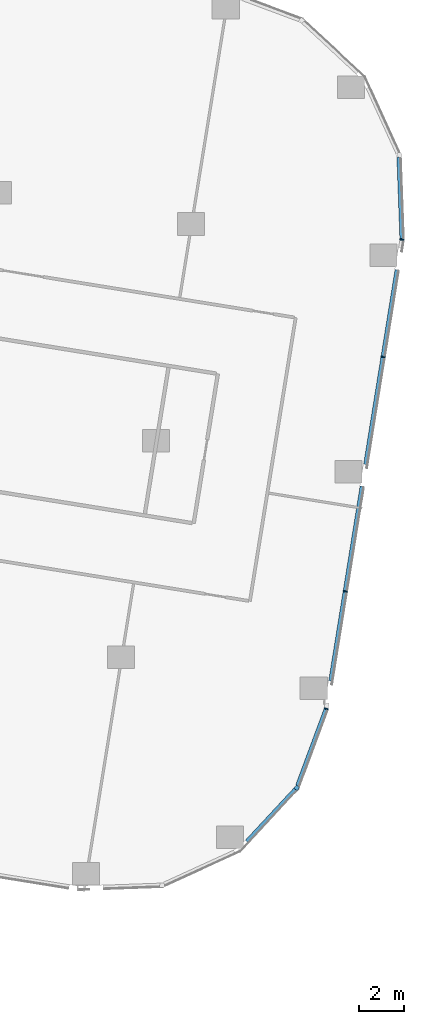
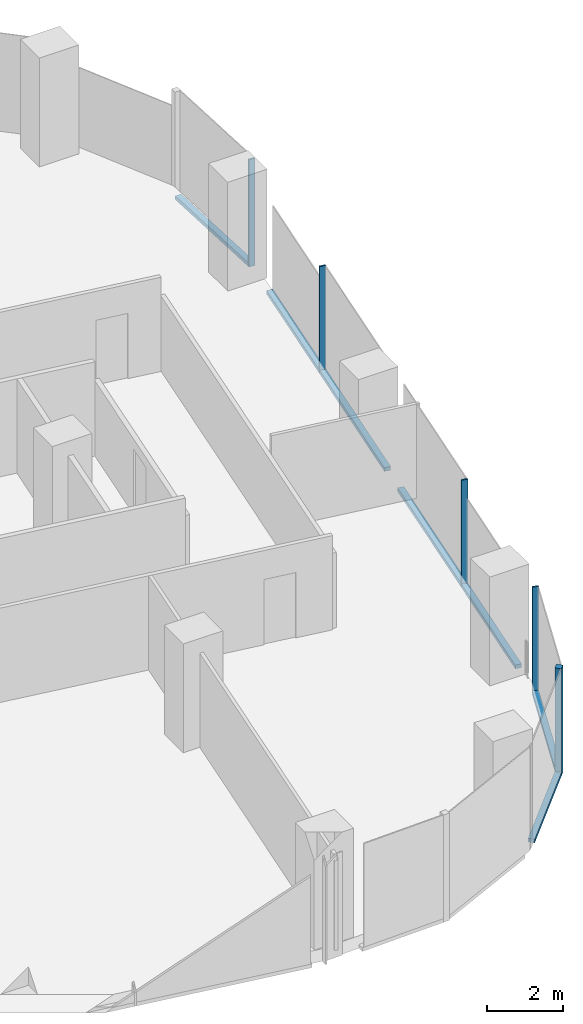
# One storey, part 10 of 34: 10 members, 4 elements without a shape of their own.
"""IFC4 building model written with IfcOpenShell, lengths in metres."""

from ifc_helpers import new_model, si_unit, direction, frame, origin, origin_2d, place, context, subcontext, project, spatial, rectangle, extrude, material, material_profile, profile_set, type_object, element, aggregate, save


model = new_model("IFC4")

# Units and contexts
model_context = context("Model", 3, precision=1e-05, world=origin(), true_north=direction((0.0, 1.0)))
body_context = subcontext(model_context, "Body", "Model", "MODEL_VIEW")
ifc_project = project(units=[si_unit("LENGTHUNIT", "METRE"), si_unit("AREAUNIT", "SQUARE_METRE"), si_unit("VOLUMEUNIT", "CUBIC_METRE"), si_unit("PLANEANGLEUNIT", "RADIAN"), si_unit("MASSUNIT", "GRAM", prefix="KILO")], contexts=[model_context])

# Site, building, storey
site_placement = place(None, origin())
site = spatial("IfcSite", under=ifc_project, at=site_placement, CompositionType="ELEMENT")
building_placement = place(site_placement, origin())
building = spatial("IfcBuilding", under=site, at=building_placement, Name="Orlundy Tower", CompositionType="ELEMENT")
storey_placement = place(building_placement, frame((0.0, 0.0, 137.699951171875)))
storey = spatial("IfcBuildingStorey", under=building, at=storey_placement, Name="L35", CompositionType="ELEMENT", Elevation=137.699951171875)

# Curtain wall, member
ifc_material_1 = material(Name="Aluminium bronze anodised", Category="aluminium")
curtain_wall_type = type_object("IfcCurtainWallType", Name="CW1 wall", PredefinedType="NOTDEFINED", material=ifc_material_1)
curtain_wall_1_placement = place(storey_placement, origin())
curtain_wall_1 = element("IfcCurtainWall", 1, at=curtain_wall_1_placement, inside=storey, type_object=curtain_wall_type, Name="CW1 run 013", PredefinedType="NOTDEFINED")
ifc_material_2 = material(Name="Aluminium bronze anodised", Category="aluminium")
ifc_material_profile_1 = material_profile(ifc_material_2, rectangle(XDim=0.179931640625, YDim=0.179931640625, at=origin_2d()), Name="CW1 corner post 180x180")
ifc_profile_set_1 = profile_set([ifc_material_profile_1], Name="Aluminium bronze anodised")
member_type_1 = type_object("IfcMemberType", Name="CW1 corner post 180x180", PredefinedType="MULLION", material=ifc_profile_set_1)
member_1_placement = place(storey_placement, frame((55.85205078125, -23.3671875, -0.39990234375), z_axis=(0.0, 0.0, 1.0), x_axis=(0.732274349196, -0.681009748469, 0.0)))
member_1 = element("IfcMember", 2, at=member_1_placement, type_object=member_type_1, Name="CW1 mullion 41", PredefinedType="MULLION", context=body_context, shape_type="SweptSolid", body=[
    extrude(rectangle(XDim=0.179931640625, YDim=0.179931640625, at=origin_2d()), origin(), (0.0, 0.0, 1.0), 3.449951171875),
])

# Curtain wall, members
curtain_wall_2_placement = place(storey_placement, origin())
curtain_wall_2 = element("IfcCurtainWall", 3, at=curtain_wall_2_placement, inside=storey, type_object=curtain_wall_type, Name="CW1 run 011", PredefinedType="NOTDEFINED")
ifc_material_3 = material(Name="Aluminium bronze anodised", Category="aluminium")
ifc_material_profile_2 = material_profile(ifc_material_3, rectangle(XDim=0.179931640625, YDim=0.050048828125, at=origin_2d()), Name="CW1 mullion 50x180")
ifc_profile_set_2 = profile_set([ifc_material_profile_2], Name="Aluminium bronze anodised")
member_type_2 = type_object("IfcMemberType", Name="CW1 mullion 50x180", PredefinedType="MULLION", material=ifc_profile_set_2)
member_2_placement = place(storey_placement, frame((60.503173828125, 0.88134765625, -0.39990234375), z_axis=(0.0, 0.0, 1.0), x_axis=(0.998091535711, -0.061751812466, 0.0)))
member_2 = element("IfcMember", 4, at=member_2_placement, type_object=member_type_2, Name="CW1 mullion 36", PredefinedType="MULLION", context=body_context, shape_type="SweptSolid", body=[
    extrude(rectangle(XDim=0.179931640625, YDim=0.050048828125, at=origin_2d()), origin(), (0.0, 0.0, 1.0), 3.449951171875),
])
member_3_placement = place(storey_placement, frame((59.665283203125, -4.310302734375, -0.39990234375), z_axis=(0.0, 0.0, 1.0), x_axis=(0.987225178566, -0.159331248677, 0.0)))
member_3 = element("IfcMember", 5, at=member_3_placement, type_object=member_type_2, Name="CW1 mullion 37", PredefinedType="MULLION", context=body_context, shape_type="SweptSolid", body=[
    extrude(rectangle(XDim=0.179931640625, YDim=0.050048828125, at=origin_2d()), origin(), (0.0, 0.0, 1.0), 3.449951171875),
])
member_4_placement = place(storey_placement, frame((57.992431640625, -14.67626953125, -0.39990234375), z_axis=(0.0, 0.0, 1.0), x_axis=(0.987225178566, -0.159331248677, 0.0)))
member_4 = element("IfcMember", 6, at=member_4_placement, type_object=member_type_2, Name="CW1 mullion 39", PredefinedType="MULLION", context=body_context, shape_type="SweptSolid", body=[
    extrude(rectangle(XDim=0.179931640625, YDim=0.050048828125, at=origin_2d()), origin(), (0.0, 0.0, 1.0), 3.449951171875),
])

# Curtain wall, member
curtain_wall_3_placement = place(storey_placement, origin())
curtain_wall_3 = element("IfcCurtainWall", 7, at=curtain_wall_3_placement, inside=storey, type_object=curtain_wall_type, Name="CW1 run 012", PredefinedType="NOTDEFINED")
member_5_placement = place(storey_placement, frame((57.154541015625, -19.8681640625, -0.39990234375), z_axis=(0.0, 0.0, 1.0), x_axis=(0.966861234208, -0.255302475086, 0.0)))
member_5 = element("IfcMember", 8, at=member_5_placement, type_object=member_type_2, Name="CW1 mullion 40", PredefinedType="MULLION", context=body_context, shape_type="SweptSolid", body=[
    extrude(rectangle(XDim=0.179931640625, YDim=0.050048828125, at=origin_2d()), origin(), (0.0, 0.0, 1.0), 3.449951171875),
])

curtain_wall_4_placement = place(storey_placement, origin())
curtain_wall_4 = element("IfcCurtainWall", 9, at=curtain_wall_4_placement, inside=storey, type_object=curtain_wall_type, Name="CW1 run 010", PredefinedType="NOTDEFINED")
ifc_material_4 = material(Name="Aluminium bronze anodised", Category="aluminium")
ifc_material_profile_3 = material_profile(ifc_material_4, rectangle(XDim=0.179931640625, YDim=0.1201171875, at=origin_2d()), Name="CW1 transom 180x120")
ifc_profile_set_3 = profile_set([ifc_material_profile_3], Name="Aluminium bronze anodised")
member_type_3 = type_object("IfcMemberType", Name="CW1 transom 180x120", PredefinedType="USERDEFINED", material=ifc_profile_set_3)
member_6_placement = place(storey_placement, frame((60.37060546875, 4.522216796875, -0.33984375), z_axis=(0.036437636837, -0.999335928816, 0.0), x_axis=(0.999335928816, 0.036437636837, 0.0)))
member_6 = element("IfcMember", 10, at=member_6_placement, type_object=member_type_3, Name="CW1 transom", ObjectType="TRANSOM", PredefinedType="USERDEFINED", context=body_context, shape_type="SweptSolid", body=[
    extrude(rectangle(XDim=0.179931640625, YDim=0.1201171875, at=origin_2d()), origin(), (0.0, 0.0, 1.0), 3.6181640625),
])
aggregate(curtain_wall_4, [member_6])

# Member
member_7_placement = place(storey_placement, frame((60.287353515625, -0.45703125, -0.33984375), z_axis=(-0.15934776008, -0.987222513599, 0.0), x_axis=(0.987222513599, -0.15934776008, 0.0)))
member_7 = element("IfcMember", 11, at=member_7_placement, type_object=member_type_3, Name="CW1 transom", ObjectType="TRANSOM", PredefinedType="USERDEFINED", context=body_context, shape_type="SweptSolid", body=[
    extrude(rectangle(XDim=0.179931640625, YDim=0.1201171875, at=origin_2d()), origin(), (0.0, 0.0, 1.0), 8.71923828125),
])

member_8_placement = place(storey_placement, frame((58.74169921875, -10.032958984375, -0.33984375), z_axis=(-0.159323145254, -0.987226486368, 0.0), x_axis=(0.987226486368, -0.159323145254, 0.0)))
member_8 = element("IfcMember", 12, at=member_8_placement, type_object=member_type_3, Name="CW1 transom", ObjectType="TRANSOM", PredefinedType="USERDEFINED", context=body_context, shape_type="SweptSolid", body=[
    extrude(rectangle(XDim=0.179931640625, YDim=0.1201171875, at=origin_2d()), origin(), (0.0, 0.0, 1.0), 8.716064453125),
])

aggregate(curtain_wall_2, [member_2, member_3, member_4, member_7, member_8])

member_9_placement = place(storey_placement, frame((57.145751953125, -19.8916015625, -0.33984375), z_axis=(-0.34885524219, -0.937176621559, 0.0), x_axis=(0.937176621559, -0.34885524219, 0.0)))
member_9 = element("IfcMember", 13, at=member_9_placement, type_object=member_type_3, Name="CW1 transom", ObjectType="TRANSOM", PredefinedType="USERDEFINED", context=body_context, shape_type="SweptSolid", body=[
    extrude(rectangle(XDim=0.179931640625, YDim=0.1201171875, at=origin_2d()), origin(), (0.0, 0.0, 1.0), 3.611083984375),
])

aggregate(curtain_wall_3, [member_5, member_9])

member_10_placement = place(storey_placement, frame((55.790771484375, -23.43310546875, -0.33984375), z_axis=(-0.681025545886, -0.732259657397, 0.0), x_axis=(0.732259657397, -0.681025545886, 0.0)))
member_10 = element("IfcMember", 14, at=member_10_placement, type_object=member_type_3, Name="CW1 transom", ObjectType="TRANSOM", PredefinedType="USERDEFINED", context=body_context, shape_type="SweptSolid", body=[
    extrude(rectangle(XDim=0.179931640625, YDim=0.1201171875, at=origin_2d()), origin(), (0.0, 0.0, 1.0), 3.14501953125),
])

aggregate(curtain_wall_1, [member_1, member_10])

save(model, "model.ifc")
